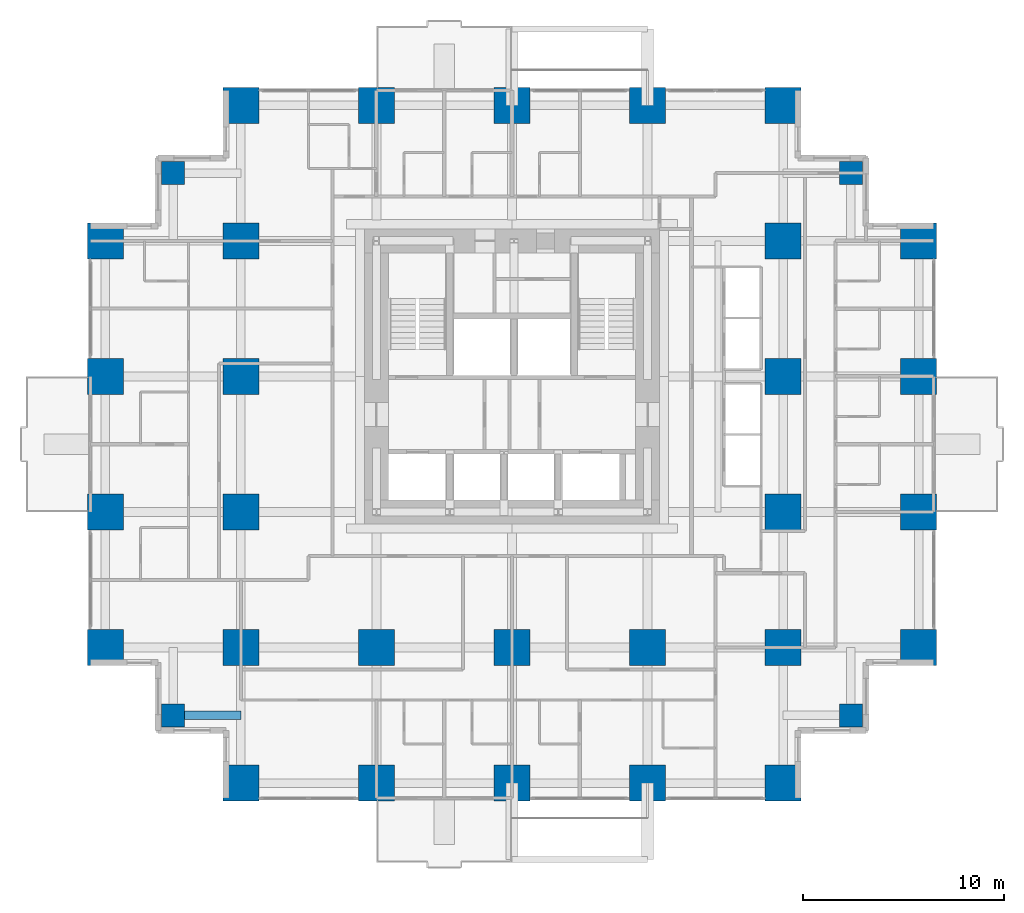
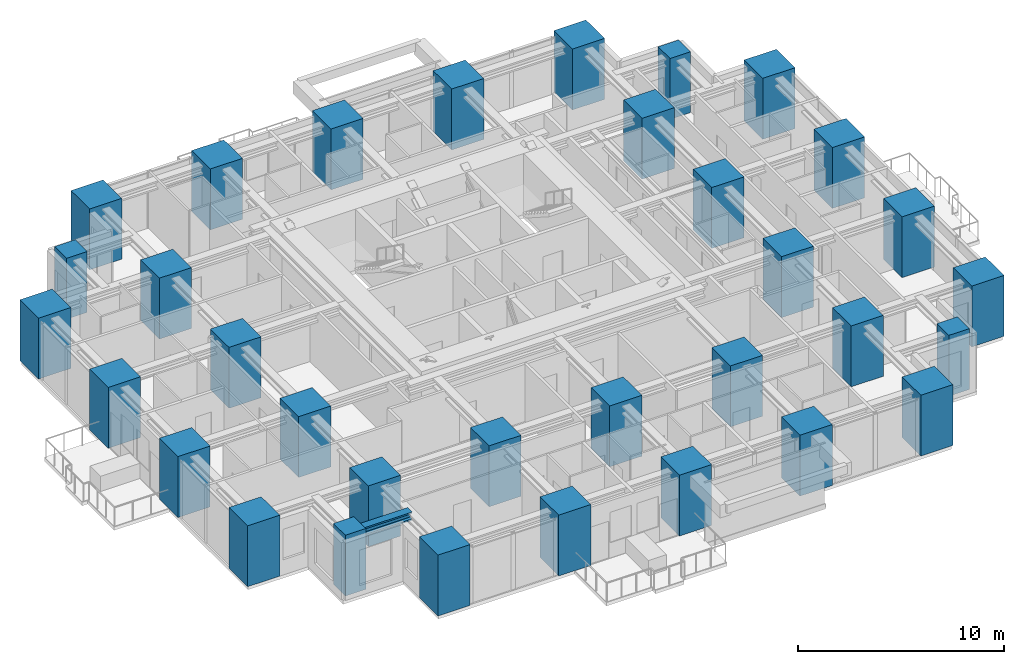
# One storey, part 1 of 13: 33 columns, 1 beam.
"""IFC4 building model written with IfcOpenShell, lengths in metres."""

import ifcopenshell
import ifcopenshell.guid

model = None  # the IFC model being written
_history = None  # IfcOwnerHistory: only IFC2X3 demands one
_inside = {}  # id of a spatial element -> (the spatial element, [elements in it])
_under = {}  # id of a project, library or spatial element -> (it, [spatial elements below it])
_declared = {}  # id of a project -> (the project, [libraries it declares])
_typed = {}  # id of a type object -> (the type object, [elements of that type])
_made_of = {}  # id of a material, layer set ... -> (it, [elements and type objects made of it])


def new_model(schema):
    """Start an empty IFC model of exactly this schema.

    Asked for "IFC4X3", IfcOpenShell would pick the latest addendum, in which some entities
    have other attributes; the version numbers below select the first issue.
    IFC2X3 requires an IfcOwnerHistory on every rooted entity: one is made here for all.
    """
    global model, _history
    if schema == "IFC4X3":
        model = ifcopenshell.file(schema_version=(4, 3, 0, 0))
    else:
        model = ifcopenshell.file(schema=schema)
    _inside.clear()
    _under.clear()
    _declared.clear()
    _typed.clear()
    _made_of.clear()
    _history = None
    if model.schema == "IFC2X3":
        org = make("IfcOrganization", Name="unknown")
        user = make(
            "IfcPersonAndOrganization",
            ThePerson=make("IfcPerson", FamilyName="unknown"),
            TheOrganization=org,
        )
        app = make(
            "IfcApplication",
            ApplicationDeveloper=org,
            Version="unknown",
            ApplicationFullName="unknown",
            ApplicationIdentifier="unknown",
        )
        _history = make(
            "IfcOwnerHistory",
            OwningUser=user,
            OwningApplication=app,
            ChangeAction="ADDED",
            CreationDate=0,
        )
    return model


def make(cls, **values):
    """One entity of the class cls with the attributes given. An attribute that is None is left unset."""
    return model.create_entity(
        cls, **{name: value for name, value in values.items() if value is not None}
    )


def rooted(cls, **values):
    """An entity with a GlobalId (a new one), such as an element, a storey or a relation."""
    return make(cls, GlobalId=ifcopenshell.guid.new(), OwnerHistory=_history, **values)


def si_unit(unit_type, name, prefix=None):
    """IfcSIUnit, for example si_unit("LENGTHUNIT", "METRE", prefix="MILLI")."""
    return make("IfcSIUnit", UnitType=unit_type, Prefix=prefix, Name=name)


def assignment(units):
    """IfcUnitAssignment: the units of a project."""
    return None if units is None else make("IfcUnitAssignment", Units=units)


def point(xyz):
    """IfcCartesianPoint."""
    return None if xyz is None else make("IfcCartesianPoint", Coordinates=xyz)


def direction(xyz):
    """IfcDirection."""
    return None if xyz is None else make("IfcDirection", DirectionRatios=xyz)


def frame(location, z_axis=None, x_axis=None):
    """IfcAxis2Placement3D, a coordinate frame: its origin and axes. An axis left out is left unset."""
    return make(
        "IfcAxis2Placement3D",
        Location=point(location),
        Axis=direction(z_axis),
        RefDirection=direction(x_axis),
    )


def frame_2d(location, x_axis=None):
    """IfcAxis2Placement2D, a coordinate frame in the plane: its origin and x axis."""
    return make(
        "IfcAxis2Placement2D", Location=point(location), RefDirection=direction(x_axis)
    )


def origin():
    """The frame at (0, 0, 0) with its axes left unset."""
    return frame((0.0, 0.0, 0.0))


def origin_2d():
    """The frame at (0, 0) in the plane with its x axis left unset."""
    return frame_2d((0.0, 0.0))


def place(relative_to, where):
    """IfcLocalPlacement: puts the frame where relative to a parent placement (None: the world)."""
    return make(
        "IfcLocalPlacement", PlacementRelTo=relative_to, RelativePlacement=where
    )


def context(
    kind, dimensions, precision=None, world=None, true_north=None, identifier=None
):
    """IfcGeometricRepresentationContext, for example the 3D "Model" context."""
    return make(
        "IfcGeometricRepresentationContext",
        ContextIdentifier=identifier,
        ContextType=kind,
        CoordinateSpaceDimension=dimensions,
        Precision=precision,
        WorldCoordinateSystem=world,
        TrueNorth=true_north,
    )


def subcontext(parent, identifier, kind, view, scale=None):
    """IfcGeometricRepresentationSubContext, for example "Body" below "Model"."""
    return make(
        "IfcGeometricRepresentationSubContext",
        ContextIdentifier=identifier,
        ContextType=kind,
        ParentContext=parent,
        TargetScale=scale,
        TargetView=view,
    )


def project(units=None, contexts=None):
    """IfcProject with its units and contexts."""
    return rooted(
        "IfcProject",
        Name="project",
        RepresentationContexts=contexts,
        UnitsInContext=assignment(units),
    )


def spatial(cls, under=None, at=None, **own):
    """A site, building, storey or space (cls), placed at a placement, below another one or the project."""
    s = rooted(cls, ObjectPlacement=at, **own)
    if under is not None:
        _under.setdefault(under.id(), (under, []))[1].append(s)
    return s


def profile(cls, at=None, kind="AREA", **sizes):
    """A parametric profile (cls). Its sizes go by their IFC names, for example OverallWidth=200.0."""
    return make(cls, ProfileType=kind, Position=at, **sizes)


def rectangle(**sizes):
    """IfcRectangleProfileDef."""
    return profile("IfcRectangleProfileDef", **sizes)


def i_section(**sizes):
    """IfcIShapeProfileDef."""
    return profile("IfcIShapeProfileDef", **sizes)


def extrude(swept, where, along, depth):
    """IfcExtrudedAreaSolid: the profile swept, set in the frame where, extruded along a direction by depth."""
    return make(
        "IfcExtrudedAreaSolid",
        SweptArea=swept,
        Position=where,
        ExtrudedDirection=direction(along),
        Depth=depth,
    )


def shape(context_of_items, identifier, shape_type, items):
    """IfcShapeRepresentation: the items that make up one representation, for example the "Body"."""
    return make(
        "IfcShapeRepresentation",
        ContextOfItems=context_of_items,
        RepresentationIdentifier=identifier,
        RepresentationType=shape_type,
        Items=items,
    )


def material(Name=None, Category=None):
    """IfcMaterial."""
    return make("IfcMaterial", Name=Name, Category=Category)


def material_profile(
    of_material, cross_section, Name=None, Category=None, Priority=None
):
    """IfcMaterialProfile: a cross section and its material."""
    return make(
        "IfcMaterialProfile",
        Name=Name,
        Material=of_material,
        Profile=cross_section,
        Priority=Priority,
        Category=Category,
    )


def profile_set(profiles, Name=None, composite=None):
    """IfcMaterialProfileSet."""
    return make(
        "IfcMaterialProfileSet",
        Name=Name,
        MaterialProfiles=profiles,
        CompositeProfile=composite,
    )


def made_of(thing, what):
    """Note that an element or type object is made of a material, layer set ...; save() writes the relation."""
    if what is not None:
        _made_of.setdefault(what.id(), (what, []))[1].append(thing)
    return thing


def type_object(cls, material=None, **own):
    """A type object (cls), such as IfcWallType, which elements share."""
    return made_of(rooted(cls, **own), material)


def element(
    cls,
    number,
    at=None,
    inside=None,
    cuts=None,
    type_object=None,
    material=None,
    context=None,
    identifier="Body",
    shape_type=None,
    held_by="IfcProductDefinitionShape",
    body=None,
    shapes=None,
    **own,
):
    """One element of the class cls, such as IfcWall. Its Tag is "e" and its number.

    at: its placement. inside: the storey or other place that contains it. cuts: it is an
    opening in that element (IfcRelVoidsElement). A single representation is given by context,
    identifier, shape_type and body (its items); several are given by shapes. held_by: the class
    of the entity that holds the representations. save() writes the other relations.
    """
    e = rooted(cls, Tag="e%d" % number, ObjectPlacement=at, **own)
    if body is not None:
        shapes = [shape(context, identifier, shape_type, body)]
    if shapes is not None:
        e.Representation = make(held_by, Representations=shapes)
    if inside is not None:
        _inside.setdefault(inside.id(), (inside, []))[1].append(e)
    if cuts is not None:
        rooted(
            "IfcRelVoidsElement", RelatingBuildingElement=cuts, RelatedOpeningElement=e
        )
    if type_object is not None:
        _typed.setdefault(type_object.id(), (type_object, []))[1].append(e)
    return made_of(e, material)


def aggregate(whole, parts):
    """IfcRelAggregates: a whole, such as a stair, and the parts it consists of."""
    return rooted("IfcRelAggregates", RelatingObject=whole, RelatedObjects=parts)


def save(model, path):
    """Write the relations noted so far, then the file.

    IfcRelAggregates (storeys below a building ...), IfcRelContainedInSpatialStructure (elements
    in a storey), IfcRelDefinesByType, IfcRelAssociatesMaterial and IfcRelDeclares: one each for
    every whole, place, type object, material and project.
    """
    for whole, parts in _under.values():
        aggregate(whole, parts)
    for where, things in _inside.values():
        rooted(
            "IfcRelContainedInSpatialStructure",
            RelatedElements=things,
            RelatingStructure=where,
        )
    for kind, things in _typed.values():
        rooted("IfcRelDefinesByType", RelatedObjects=things, RelatingType=kind)
    for what, things in _made_of.values():
        rooted("IfcRelAssociatesMaterial", RelatedObjects=things, RelatingMaterial=what)
    for by, libraries in _declared.values():
        rooted("IfcRelDeclares", RelatingContext=by, RelatedDefinitions=libraries)
    model.write(path)


model = new_model("IFC4")

# Units and contexts
model_context = context("Model", 3, precision=1e-05, world=origin(), true_north=direction((0.0, 1.0)))
body_context = subcontext(model_context, "Body", "Model", "MODEL_VIEW")
ifc_project = project(units=[si_unit("LENGTHUNIT", "METRE"), si_unit("AREAUNIT", "SQUARE_METRE"), si_unit("VOLUMEUNIT", "CUBIC_METRE"), si_unit("PLANEANGLEUNIT", "RADIAN"), si_unit("MASSUNIT", "GRAM", prefix="KILO")], contexts=[model_context])

# Site, building, storey
site_placement = place(None, origin())
site = spatial("IfcSite", under=ifc_project, at=site_placement, CompositionType="ELEMENT")
building_placement = place(site_placement, origin())
building = spatial("IfcBuilding", under=site, at=building_placement, Name="Nyansa Garden Tower", CompositionType="ELEMENT")
storey_placement = place(building_placement, frame((0.0, 0.0, 101.699951171875)))
storey = spatial("IfcBuildingStorey", under=building, at=storey_placement, Name="L27", CompositionType="ELEMENT", Elevation=101.699951171875)

# Columns
ifc_material_1 = material(Name="Concrete C70/85", Category="concrete")
ifc_material_profile_1 = material_profile(ifc_material_1, rectangle(XDim=1.14990234375, YDim=1.14990234375, at=origin_2d()), Name="RC 1150x1150")
ifc_profile_set_1 = profile_set([ifc_material_profile_1], Name="Concrete C70/85")
column_type_1 = type_object("IfcColumnType", Name="Column C115 RC 1150x1150", PredefinedType="COLUMN", material=ifc_profile_set_1)
for number, where, z_axis, x_axis, name in (
    (1, (3.375, 3.375, 0.0), (0.0, 0.0, 1.0), (1.0, 0.0, 0.0), "Column x3.375/y3.375 L27"),
    (2, (3.375, 30.375, 0.0), (0.0, 0.0, 1.0), (1.0, 0.0, 0.0), "Column x3.375/y30.375 L27"),
    (3, (37.125, 3.375, 0.0), (0.0, 0.0, 1.0), (1.0, 0.0, 0.0), "Column x37.125/y3.375 L27"),
    (4, (37.125, 30.375, 0.0), (0.0, 0.0, 1.0), (1.0, 0.0, 0.0), "Column x37.125/y30.375 L27"),
):
    element("IfcColumn", number, at=place(storey_placement, frame(where, z_axis=z_axis, x_axis=x_axis)), inside=storey, type_object=column_type_1, Name=name, PredefinedType="COLUMN", context=body_context, shape_type="SweptSolid", body=[
        extrude(rectangle(XDim=1.14990234375, YDim=1.14990234375, at=origin_2d()), origin(), (0.0, 0.0, 1.0), 3.60009765625),
    ])
ifc_material_2 = material(Name="Concrete C80/95", Category="concrete")
ifc_material_profile_2 = material_profile(ifc_material_2, rectangle(XDim=1.800048828125, YDim=1.800048828125, at=origin_2d()), Name="RC 1800x1800")
ifc_profile_set_2 = profile_set([ifc_material_profile_2], Name="Concrete C80/95")
column_type_2 = type_object("IfcColumnType", Name="Column C180 RC 1800x1800", PredefinedType="COLUMN", material=ifc_profile_set_2)
for number, where, z_axis, x_axis, name in (
    (5, (0.0, 6.75, 0.0), (0.0, 0.0, 1.0), (1.0, 0.0, 0.0), "Column 2/E L27"),
    (6, (0.0, 13.5, 0.0), (0.0, 0.0, 1.0), (1.0, 0.0, 0.0), "Column 2/F L27"),
    (7, (0.0, 20.25, 0.0), (0.0, 0.0, 1.0), (1.0, 0.0, 0.0), "Column 2/G L27"),
    (8, (0.0, 27.0, 0.0), (0.0, 0.0, 1.0), (1.0, 0.0, 0.0), "Column 2/H L27"),
    (9, (6.75, 0.0, 0.0), (0.0, 0.0, 1.0), (1.0, 0.0, 0.0), "Column 3/D L27"),
    (10, (6.75, 6.75, 0.0), (0.0, 0.0, 1.0), (1.0, 0.0, 0.0), "Column 3/E L27"),
    (11, (6.75, 13.5, 0.0), (0.0, 0.0, 1.0), (1.0, 0.0, 0.0), "Column 3/F L27"),
    (12, (6.75, 20.25, 0.0), (0.0, 0.0, 1.0), (1.0, 0.0, 0.0), "Column 3/G L27"),
    (13, (6.75, 27.0, 0.0), (0.0, 0.0, 1.0), (1.0, 0.0, 0.0), "Column 3/H L27"),
    (14, (6.75, 33.75, 0.0), (0.0, 0.0, 1.0), (1.0, 0.0, 0.0), "Column 3/J L27"),
    (15, (13.5, 0.0, 0.0), (0.0, 0.0, 1.0), (1.0, 0.0, 0.0), "Column 4/D L27"),
    (16, (13.5, 6.75, 0.0), (0.0, 0.0, 1.0), (1.0, 0.0, 0.0), "Column 4/E L27"),
    (17, (13.5, 33.75, 0.0), (0.0, 0.0, 1.0), (1.0, 0.0, 0.0), "Column 4/J L27"),
    (18, (20.25, 0.0, 0.0), (0.0, 0.0, 1.0), (1.0, 0.0, 0.0), "Column 5/D L27"),
    (19, (20.25, 6.75, 0.0), (0.0, 0.0, 1.0), (1.0, 0.0, 0.0), "Column 5/E L27"),
    (20, (20.25, 33.75, 0.0), (0.0, 0.0, 1.0), (1.0, 0.0, 0.0), "Column 5/J L27"),
    (21, (27.0, 0.0, 0.0), (0.0, 0.0, 1.0), (1.0, 0.0, 0.0), "Column 6/D L27"),
    (22, (27.0, 6.75, 0.0), (0.0, 0.0, 1.0), (1.0, 0.0, 0.0), "Column 6/E L27"),
    (23, (27.0, 33.75, 0.0), (0.0, 0.0, 1.0), (1.0, 0.0, 0.0), "Column 6/J L27"),
    (24, (33.75, 0.0, 0.0), (0.0, 0.0, 1.0), (1.0, 0.0, 0.0), "Column 7/D L27"),
    (25, (33.75, 6.75, 0.0), (0.0, 0.0, 1.0), (1.0, 0.0, 0.0), "Column 7/E L27"),
    (26, (33.75, 13.5, 0.0), (0.0, 0.0, 1.0), (1.0, 0.0, 0.0), "Column 7/F L27"),
    (27, (33.75, 20.25, 0.0), (0.0, 0.0, 1.0), (1.0, 0.0, 0.0), "Column 7/G L27"),
    (28, (33.75, 27.0, 0.0), (0.0, 0.0, 1.0), (1.0, 0.0, 0.0), "Column 7/H L27"),
    (29, (33.75, 33.75, 0.0), (0.0, 0.0, 1.0), (1.0, 0.0, 0.0), "Column 7/J L27"),
    (30, (40.5, 6.75, 0.0), (0.0, 0.0, 1.0), (1.0, 0.0, 0.0), "Column 8/E L27"),
    (31, (40.5, 13.5, 0.0), (0.0, 0.0, 1.0), (1.0, 0.0, 0.0), "Column 8/F L27"),
    (32, (40.5, 20.25, 0.0), (0.0, 0.0, 1.0), (1.0, 0.0, 0.0), "Column 8/G L27"),
    (33, (40.5, 27.0, 0.0), (0.0, 0.0, 1.0), (1.0, 0.0, 0.0), "Column 8/H L27"),
):
    element("IfcColumn", number, at=place(storey_placement, frame(where, z_axis=z_axis, x_axis=x_axis)), inside=storey, type_object=column_type_2, Name=name, PredefinedType="COLUMN", context=body_context, shape_type="SweptSolid", body=[
        extrude(rectangle(XDim=1.800048828125, YDim=1.800048828125, at=origin_2d()), origin(), (0.0, 0.0, 1.0), 3.60009765625),
    ])

# Beam
ifc_material_3 = material(Name="Steel S355", Category="steel")
ifc_material_profile_3 = material_profile(ifc_material_3, i_section(OverallWidth=0.431884765625, OverallDepth=0.498046875, WebThickness=0.0556640625, FlangeThickness=0.0888671875, FilletRadius=0.014892578125, at=origin_2d()), Name="HD 400x744")
ifc_profile_set_3 = profile_set([ifc_material_profile_3], Name="Steel S355")
beam_type = type_object("IfcBeamType", Name="Steel beam SSB1-744 HD 400x744", PredefinedType="BEAM", material=ifc_profile_set_3)
beam_placement = place(storey_placement, frame((3.375, 3.375, 3.1259765625), z_axis=(1.0, 0.0, 0.0), x_axis=(0.0, 1.0, 0.0)))
element("IfcBeam", 34, at=beam_placement, inside=storey, type_object=beam_type, Name="Steel step beam 3.375/3.375 L28", PredefinedType="BEAM", context=body_context, shape_type="SweptSolid", body=[
    extrude(i_section(OverallWidth=0.431884765625, OverallDepth=0.498046875, WebThickness=0.0556640625, FlangeThickness=0.0888671875, FilletRadius=0.014892578125, at=origin_2d()), origin(), (0.0, 0.0, 1.0), 3.375),
])

save(model, "model.ifc")
